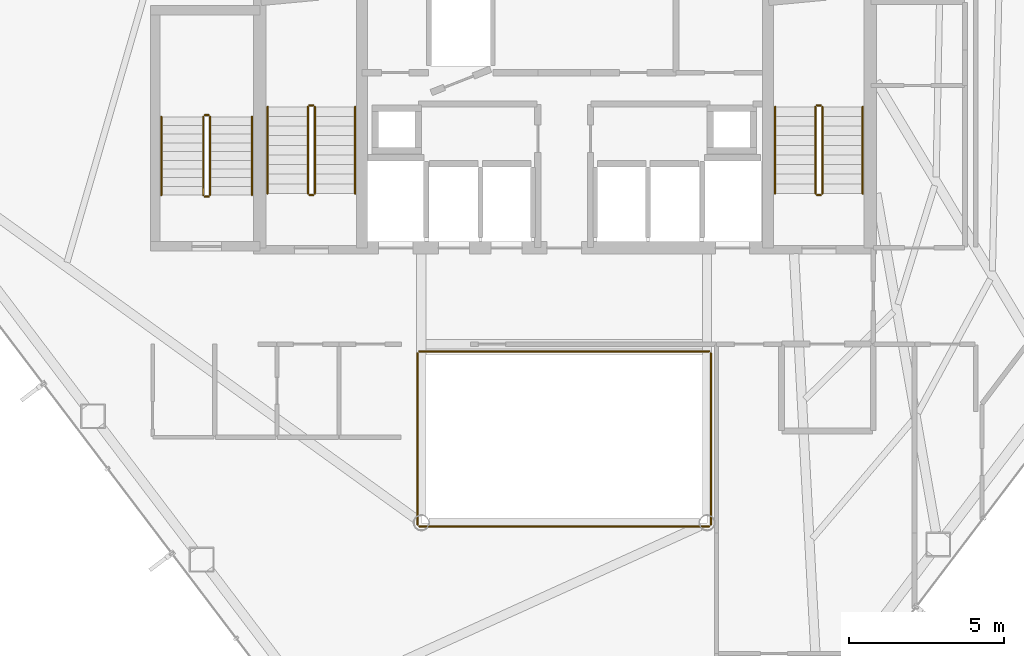
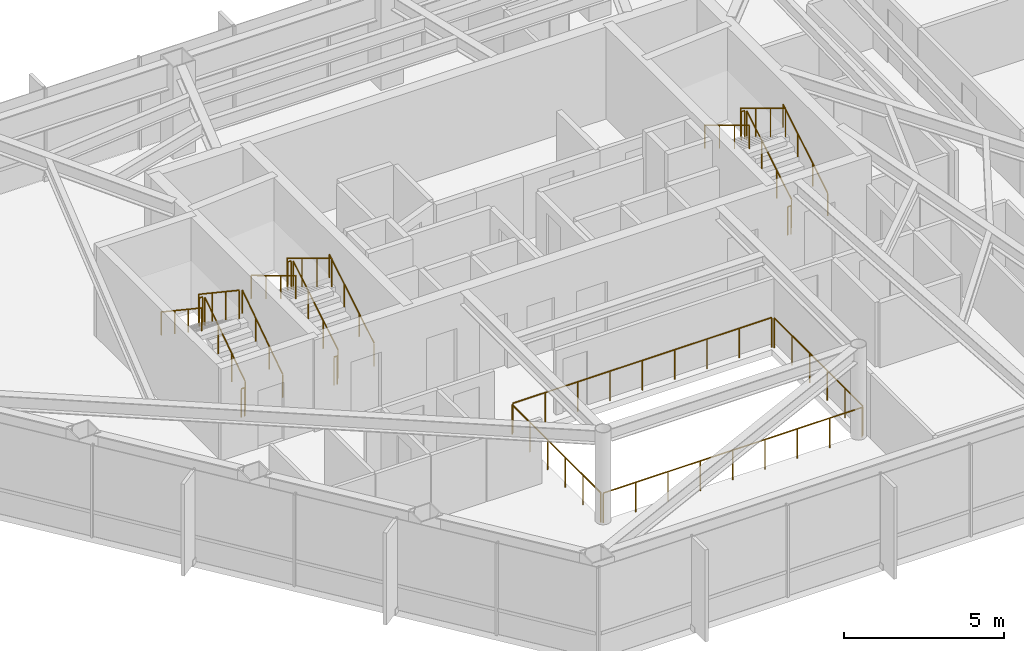
# One storey, part 29 of 29: 22 railings.
"""IFC4 building model written with IfcOpenShell, lengths in metres."""

from ifc_helpers import new_model, si_unit, direction, frame, origin, origin_2d, place, context, subcontext, project, spatial, circle, extrude, material, type_object, element, save


model = new_model("IFC4")

# Units and contexts
model_context = context("Model", 3, precision=1e-05, world=origin(), true_north=direction((0.0, 1.0)))
body_context = subcontext(model_context, "Body", "Model", "MODEL_VIEW")
ifc_project = project(units=[si_unit("LENGTHUNIT", "METRE"), si_unit("AREAUNIT", "SQUARE_METRE"), si_unit("VOLUMEUNIT", "CUBIC_METRE"), si_unit("PLANEANGLEUNIT", "RADIAN"), si_unit("MASSUNIT", "GRAM", prefix="KILO")], contexts=[model_context])

# Site, building, storey
site_placement = place(None, origin())
site = spatial("IfcSite", under=ifc_project, at=site_placement, CompositionType="ELEMENT")
building_placement = place(site_placement, origin())
building = spatial("IfcBuilding", under=site, at=building_placement, Name="Zarrinselat Tower", CompositionType="ELEMENT")
storey_placement = place(building_placement, frame((0.0, 0.0, 138.3798828125)))
storey = spatial("IfcBuildingStorey", under=building, at=storey_placement, Name="L33", CompositionType="ELEMENT", Elevation=138.3798828125)

# Railings
ifc_material_1 = material(Name="Double Low-E Laminated Solar Glass", Category="glass")
railing_type_1 = type_object("IfcRailingType", Name="RLG-ATRIUM-BAL", PredefinedType="BALUSTRADE", material=ifc_material_1)
railing_1_placement = place(storey_placement, frame((33.739990234375, 24.280029296875, 0.0)))
element("IfcRailing", 1, at=railing_1_placement, inside=storey, type_object=railing_type_1, Name="L33 Atrium Void Glass Balustrade S", PredefinedType="BALUSTRADE", context=body_context, shape_type="SweptSolid", body=[
    extrude(circle(Radius=0.02392578125, at=origin_2d()), frame((0.0, 0.0, 1.1259765625), z_axis=(1.0, 0.0, 0.0), x_axis=(0.0, 1.0, 0.0)), (0.0, 0.0, 1.0), 9.320068359375),
    extrude(circle(Radius=0.02099609375, at=origin_2d()), origin(), (0.0, 0.0, 1.0), 1.099853515625),
    extrude(circle(Radius=0.02099609375, at=origin_2d()), frame((1.1650390625, 0.0, 0.0)), (0.0, 0.0, 1.0), 1.099853515625),
    extrude(circle(Radius=0.02099609375, at=origin_2d()), frame((2.330078125, 0.0, 0.0)), (0.0, 0.0, 1.0), 1.099853515625),
    extrude(circle(Radius=0.02099609375, at=origin_2d()), frame((3.4951171875, 0.0, 0.0)), (0.0, 0.0, 1.0), 1.099853515625),
    extrude(circle(Radius=0.02099609375, at=origin_2d()), frame((4.66015625, 0.0, 0.0)), (0.0, 0.0, 1.0), 1.099853515625),
    extrude(circle(Radius=0.02099609375, at=origin_2d()), frame((5.824951171875, 0.0, 0.0)), (0.0, 0.0, 1.0), 1.099853515625),
    extrude(circle(Radius=0.02099609375, at=origin_2d()), frame((6.989990234375, 0.0, 0.0)), (0.0, 0.0, 1.0), 1.099853515625),
    extrude(circle(Radius=0.02099609375, at=origin_2d()), frame((8.155029296875, 0.0, 0.0)), (0.0, 0.0, 1.0), 1.099853515625),
    extrude(circle(Radius=0.02099609375, at=origin_2d()), frame((9.320068359375, 0.0, 0.0)), (0.0, 0.0, 1.0), 1.099853515625),
])
railing_2_placement = place(storey_placement, frame((43.1201171875, 24.340087890625, 0.0)))
element("IfcRailing", 2, at=railing_2_placement, inside=storey, type_object=railing_type_1, Name="L33 Atrium Void Glass Balustrade E", PredefinedType="BALUSTRADE", context=body_context, shape_type="SweptSolid", body=[
    extrude(circle(Radius=0.02392578125, at=origin_2d()), frame((0.0, 0.0, 1.1259765625), z_axis=(0.0, 1.0, 0.0), x_axis=(-1.0, 0.0, 0.0)), (0.0, 0.0, 1.0), 5.52001953125),
    extrude(circle(Radius=0.02099609375, at=origin_2d()), origin(), (0.0, 0.0, 1.0), 1.099853515625),
    extrude(circle(Radius=0.02099609375, at=origin_2d()), frame((0.0, 1.10400390625, 0.0)), (0.0, 0.0, 1.0), 1.099853515625),
    extrude(circle(Radius=0.02099609375, at=origin_2d()), frame((0.0, 2.2080078125, 0.0)), (0.0, 0.0, 1.0), 1.099853515625),
    extrude(circle(Radius=0.02099609375, at=origin_2d()), frame((0.0, 3.31201171875, 0.0)), (0.0, 0.0, 1.0), 1.099853515625),
    extrude(circle(Radius=0.02099609375, at=origin_2d()), frame((0.0, 4.416015625, 0.0)), (0.0, 0.0, 1.0), 1.099853515625),
    extrude(circle(Radius=0.02099609375, at=origin_2d()), frame((0.0, 5.52001953125, 0.0)), (0.0, 0.0, 1.0), 1.099853515625),
])
railing_3_placement = place(storey_placement, frame((43.06005859375, 29.919921875, 0.0)))
element("IfcRailing", 3, at=railing_3_placement, inside=storey, type_object=railing_type_1, Name="L33 Atrium Void Glass Balustrade N", PredefinedType="BALUSTRADE", context=body_context, shape_type="SweptSolid", body=[
    extrude(circle(Radius=0.02392578125, at=origin_2d()), frame((0.0, 0.0, 1.1259765625), z_axis=(-1.0, 0.0, 0.0), x_axis=(0.0, -1.0, 0.0)), (0.0, 0.0, 1.0), 9.320068359375),
    extrude(circle(Radius=0.02099609375, at=origin_2d()), origin(), (0.0, 0.0, 1.0), 1.099853515625),
    extrude(circle(Radius=0.02099609375, at=origin_2d()), frame((-1.1650390625, 0.0, 0.0)), (0.0, 0.0, 1.0), 1.099853515625),
    extrude(circle(Radius=0.02099609375, at=origin_2d()), frame((-2.330078125, 0.0, 0.0)), (0.0, 0.0, 1.0), 1.099853515625),
    extrude(circle(Radius=0.02099609375, at=origin_2d()), frame((-3.4951171875, 0.0, 0.0)), (0.0, 0.0, 1.0), 1.099853515625),
    extrude(circle(Radius=0.02099609375, at=origin_2d()), frame((-4.66015625, 0.0, 0.0)), (0.0, 0.0, 1.0), 1.099853515625),
    extrude(circle(Radius=0.02099609375, at=origin_2d()), frame((-5.824951171875, 0.0, 0.0)), (0.0, 0.0, 1.0), 1.099853515625),
    extrude(circle(Radius=0.02099609375, at=origin_2d()), frame((-6.989990234375, 0.0, 0.0)), (0.0, 0.0, 1.0), 1.099853515625),
    extrude(circle(Radius=0.02099609375, at=origin_2d()), frame((-8.155029296875, 0.0, 0.0)), (0.0, 0.0, 1.0), 1.099853515625),
    extrude(circle(Radius=0.02099609375, at=origin_2d()), frame((-9.320068359375, 0.0, 0.0)), (0.0, 0.0, 1.0), 1.099853515625),
])
railing_4_placement = place(storey_placement, frame((33.679931640625, 29.860107421875, 0.0)))
element("IfcRailing", 4, at=railing_4_placement, inside=storey, type_object=railing_type_1, Name="L33 Atrium Void Glass Balustrade W", PredefinedType="BALUSTRADE", context=body_context, shape_type="SweptSolid", body=[
    extrude(circle(Radius=0.02392578125, at=origin_2d()), frame((0.0, 0.0, 1.1259765625), z_axis=(0.0, -1.0, 0.0), x_axis=(1.0, 0.0, 0.0)), (0.0, 0.0, 1.0), 5.52001953125),
    extrude(circle(Radius=0.02099609375, at=origin_2d()), origin(), (0.0, 0.0, 1.0), 1.099853515625),
    extrude(circle(Radius=0.02099609375, at=origin_2d()), frame((0.0, -1.10400390625, 0.0)), (0.0, 0.0, 1.0), 1.099853515625),
    extrude(circle(Radius=0.02099609375, at=origin_2d()), frame((0.0, -2.2080078125, 0.0)), (0.0, 0.0, 1.0), 1.099853515625),
    extrude(circle(Radius=0.02099609375, at=origin_2d()), frame((0.0, -3.31201171875, 0.0)), (0.0, 0.0, 1.0), 1.099853515625),
    extrude(circle(Radius=0.02099609375, at=origin_2d()), frame((0.0, -4.416015625, 0.0)), (0.0, 0.0, 1.0), 1.099853515625),
    extrude(circle(Radius=0.02099609375, at=origin_2d()), frame((0.0, -5.52001953125, 0.0)), (0.0, 0.0, 1.0), 1.099853515625),
])
ifc_material_2 = material(Name="Steel S355J2", Category="steel")
railing_type_2 = type_object("IfcRailingType", Name="RLG-STAIR-GUARD", PredefinedType="GUARDRAIL", material=ifc_material_2)
railing_5_placement = place(storey_placement, frame((30.3701171875, 35.0, 0.18701171875)))
element("IfcRailing", 5, at=railing_5_placement, inside=storey, type_object=railing_type_2, Name="L33 ST-1 stair guard 1", PredefinedType="GUARDRAIL", context=body_context, shape_type="SweptSolid", body=[
    extrude(circle(Radius=0.02392578125, at=origin_2d()), frame((0.0, 0.0, 1.076171875), z_axis=(0.0, 0.856260799362, 0.516543747882), x_axis=(-1.0, 0.0, 0.0)), (0.0, 0.0, 1.0), 3.25830078125),
    extrude(circle(Radius=0.02099609375, at=origin_2d()), origin(), (0.0, 0.0, 1.0), 1.050048828125),
    extrude(circle(Radius=0.02099609375, at=origin_2d()), frame((0.0, 0.929931640625, 0.56103515625)), (0.0, 0.0, 1.0), 1.050048828125),
    extrude(circle(Radius=0.02099609375, at=origin_2d()), frame((0.0, 1.860107421875, 1.1220703125)), (0.0, 0.0, 1.0), 1.050048828125),
    extrude(circle(Radius=0.02099609375, at=origin_2d()), frame((0.0, 2.7900390625, 1.68310546875)), (0.0, 0.0, 1.0), 1.050048828125),
])
railing_6_placement = place(storey_placement, frame((30.320068359375, 37.840087890625, 1.8701171875)))
element("IfcRailing", 6, at=railing_6_placement, inside=storey, type_object=railing_type_2, Name="L33 ST-1 stair guard 2", PredefinedType="GUARDRAIL", context=body_context, shape_type="SweptSolid", body=[
    extrude(circle(Radius=0.02392578125, at=origin_2d()), frame((0.0, 0.0, 1.076171875), z_axis=(-1.0, 0.0, 0.0), x_axis=(0.0, -1.0, 0.0)), (0.0, 0.0, 1.0), 0.1201171875),
    extrude(circle(Radius=0.02099609375, at=origin_2d()), origin(), (0.0, 0.0, 1.0), 1.050048828125),
    extrude(circle(Radius=0.02099609375, at=origin_2d()), frame((-0.1201171875, 0.0, 0.0)), (0.0, 0.0, 1.0), 1.050048828125),
])
railing_7_placement = place(storey_placement, frame((30.14990234375, 37.7900390625, 2.05712890625)))
element("IfcRailing", 7, at=railing_7_placement, inside=storey, type_object=railing_type_2, Name="L33 ST-1 stair guard 3", PredefinedType="GUARDRAIL", context=body_context, shape_type="SweptSolid", body=[
    extrude(circle(Radius=0.02392578125, at=origin_2d()), frame((0.0, 0.0, 1.076171875), z_axis=(0.0, -0.856260799362, 0.516543747882), x_axis=(1.0, 0.0, 0.0)), (0.0, 0.0, 1.0), 3.25830078125),
    extrude(circle(Radius=0.02099609375, at=origin_2d()), origin(), (0.0, 0.0, 1.0), 1.050048828125),
    extrude(circle(Radius=0.02099609375, at=origin_2d()), frame((0.0, -0.929931640625, 0.56103515625)), (0.0, 0.0, 1.0), 1.050048828125),
    extrude(circle(Radius=0.02099609375, at=origin_2d()), frame((0.0, -1.860107421875, 1.1220703125)), (0.0, 0.0, 1.0), 1.050048828125),
    extrude(circle(Radius=0.02099609375, at=origin_2d()), frame((0.0, -2.7900390625, 1.68310546875)), (0.0, 0.0, 1.0), 1.050048828125),
])
railing_8_placement = place(storey_placement, frame((30.320068359375, 34.949951171875, 0.0)))
element("IfcRailing", 8, at=railing_8_placement, inside=storey, type_object=railing_type_2, Name="L33 ST-1 stair guard 4", PredefinedType="GUARDRAIL", context=body_context, shape_type="SweptSolid", body=[
    extrude(circle(Radius=0.02392578125, at=origin_2d()), frame((0.0, 0.0, 1.076171875), z_axis=(-1.0, 0.0, 0.0), x_axis=(0.0, -1.0, 0.0)), (0.0, 0.0, 1.0), 0.1201171875),
    extrude(circle(Radius=0.02099609375, at=origin_2d()), origin(), (0.0, 0.0, 1.0), 1.050048828125),
    extrude(circle(Radius=0.02099609375, at=origin_2d()), frame((-0.1201171875, 0.0, 0.0)), (0.0, 0.0, 1.0), 1.050048828125),
])
railing_9_placement = place(storey_placement, frame((46.7099609375, 35.0, 0.18701171875)))
element("IfcRailing", 9, at=railing_9_placement, inside=storey, type_object=railing_type_2, Name="L33 ST-2 stair guard 1", PredefinedType="GUARDRAIL", context=body_context, shape_type="SweptSolid", body=[
    extrude(circle(Radius=0.02392578125, at=origin_2d()), frame((0.0, 0.0, 1.076171875), z_axis=(0.0, 0.856260799362, 0.516543747882), x_axis=(-1.0, 0.0, 0.0)), (0.0, 0.0, 1.0), 3.25830078125),
    extrude(circle(Radius=0.02099609375, at=origin_2d()), origin(), (0.0, 0.0, 1.0), 1.050048828125),
    extrude(circle(Radius=0.02099609375, at=origin_2d()), frame((0.0, 0.929931640625, 0.56103515625)), (0.0, 0.0, 1.0), 1.050048828125),
    extrude(circle(Radius=0.02099609375, at=origin_2d()), frame((0.0, 1.860107421875, 1.1220703125)), (0.0, 0.0, 1.0), 1.050048828125),
    extrude(circle(Radius=0.02099609375, at=origin_2d()), frame((0.0, 2.7900390625, 1.68310546875)), (0.0, 0.0, 1.0), 1.050048828125),
])
railing_10_placement = place(storey_placement, frame((46.659912109375, 37.840087890625, 1.8701171875)))
element("IfcRailing", 10, at=railing_10_placement, inside=storey, type_object=railing_type_2, Name="L33 ST-2 stair guard 2", PredefinedType="GUARDRAIL", context=body_context, shape_type="SweptSolid", body=[
    extrude(circle(Radius=0.02392578125, at=origin_2d()), frame((0.0, 0.0, 1.076171875), z_axis=(-1.0, 0.0, 0.0), x_axis=(0.0, -1.0, 0.0)), (0.0, 0.0, 1.0), 0.119873046875),
    extrude(circle(Radius=0.02099609375, at=origin_2d()), origin(), (0.0, 0.0, 1.0), 1.050048828125),
    extrude(circle(Radius=0.02099609375, at=origin_2d()), frame((-0.119873046875, 0.0, 0.0)), (0.0, 0.0, 1.0), 1.050048828125),
])
railing_11_placement = place(storey_placement, frame((46.489990234375, 37.7900390625, 2.05712890625)))
element("IfcRailing", 11, at=railing_11_placement, inside=storey, type_object=railing_type_2, Name="L33 ST-2 stair guard 3", PredefinedType="GUARDRAIL", context=body_context, shape_type="SweptSolid", body=[
    extrude(circle(Radius=0.02392578125, at=origin_2d()), frame((0.0, 0.0, 1.076171875), z_axis=(0.0, -0.856260799362, 0.516543747882), x_axis=(1.0, 0.0, 0.0)), (0.0, 0.0, 1.0), 3.25830078125),
    extrude(circle(Radius=0.02099609375, at=origin_2d()), origin(), (0.0, 0.0, 1.0), 1.050048828125),
    extrude(circle(Radius=0.02099609375, at=origin_2d()), frame((0.0, -0.929931640625, 0.56103515625)), (0.0, 0.0, 1.0), 1.050048828125),
    extrude(circle(Radius=0.02099609375, at=origin_2d()), frame((0.0, -1.860107421875, 1.1220703125)), (0.0, 0.0, 1.0), 1.050048828125),
    extrude(circle(Radius=0.02099609375, at=origin_2d()), frame((0.0, -2.7900390625, 1.68310546875)), (0.0, 0.0, 1.0), 1.050048828125),
])
railing_12_placement = place(storey_placement, frame((46.659912109375, 34.949951171875, 0.0)))
element("IfcRailing", 12, at=railing_12_placement, inside=storey, type_object=railing_type_2, Name="L33 ST-2 stair guard 4", PredefinedType="GUARDRAIL", context=body_context, shape_type="SweptSolid", body=[
    extrude(circle(Radius=0.02392578125, at=origin_2d()), frame((0.0, 0.0, 1.076171875), z_axis=(-1.0, 0.0, 0.0), x_axis=(0.0, -1.0, 0.0)), (0.0, 0.0, 1.0), 0.119873046875),
    extrude(circle(Radius=0.02099609375, at=origin_2d()), origin(), (0.0, 0.0, 1.0), 1.050048828125),
    extrude(circle(Radius=0.02099609375, at=origin_2d()), frame((-0.119873046875, 0.0, 0.0)), (0.0, 0.0, 1.0), 1.050048828125),
])
railing_13_placement = place(storey_placement, frame((27.0, 34.949951171875, 0.18701171875)))
element("IfcRailing", 13, at=railing_13_placement, inside=storey, type_object=railing_type_2, Name="L33 ST-3 stair guard 1", PredefinedType="GUARDRAIL", context=body_context, shape_type="SweptSolid", body=[
    extrude(circle(Radius=0.02392578125, at=origin_2d()), frame((0.0, 0.0, 1.076171875), z_axis=(0.0, 0.831579006341, 0.555406478368), x_axis=(-1.0, 0.0, 0.0)), (0.0, 0.0, 1.0), 3.030517578125),
    extrude(circle(Radius=0.02099609375, at=origin_2d()), origin(), (0.0, 0.0, 1.0), 1.050048828125),
    extrude(circle(Radius=0.02099609375, at=origin_2d()), frame((0.0, 0.840087890625, 0.56103515625)), (0.0, 0.0, 1.0), 1.050048828125),
    extrude(circle(Radius=0.02099609375, at=origin_2d()), frame((0.0, 1.679931640625, 1.1220703125)), (0.0, 0.0, 1.0), 1.050048828125),
    extrude(circle(Radius=0.02099609375, at=origin_2d()), frame((0.0, 2.52001953125, 1.68310546875)), (0.0, 0.0, 1.0), 1.050048828125),
])
railing_14_placement = place(storey_placement, frame((26.949951171875, 37.52001953125, 1.8701171875)))
element("IfcRailing", 14, at=railing_14_placement, inside=storey, type_object=railing_type_2, Name="L33 ST-3 stair guard 2", PredefinedType="GUARDRAIL", context=body_context, shape_type="SweptSolid", body=[
    extrude(circle(Radius=0.02392578125, at=origin_2d()), frame((0.0, 0.0, 1.076171875), z_axis=(-1.0, 0.0, 0.0), x_axis=(0.0, -1.0, 0.0)), (0.0, 0.0, 1.0), 0.119873046875),
    extrude(circle(Radius=0.02099609375, at=origin_2d()), origin(), (0.0, 0.0, 1.0), 1.050048828125),
    extrude(circle(Radius=0.02099609375, at=origin_2d()), frame((-0.119873046875, 0.0, 0.0)), (0.0, 0.0, 1.0), 1.050048828125),
])
railing_15_placement = place(storey_placement, frame((26.780029296875, 37.469970703125, 2.05712890625)))
element("IfcRailing", 15, at=railing_15_placement, inside=storey, type_object=railing_type_2, Name="L33 ST-3 stair guard 3", PredefinedType="GUARDRAIL", context=body_context, shape_type="SweptSolid", body=[
    extrude(circle(Radius=0.02392578125, at=origin_2d()), frame((0.0, 0.0, 1.076171875), z_axis=(0.0, -0.831579006341, 0.555406478368), x_axis=(1.0, 0.0, 0.0)), (0.0, 0.0, 1.0), 3.030517578125),
    extrude(circle(Radius=0.02099609375, at=origin_2d()), origin(), (0.0, 0.0, 1.0), 1.050048828125),
    extrude(circle(Radius=0.02099609375, at=origin_2d()), frame((0.0, -0.840087890625, 0.56103515625)), (0.0, 0.0, 1.0), 1.050048828125),
    extrude(circle(Radius=0.02099609375, at=origin_2d()), frame((0.0, -1.679931640625, 1.1220703125)), (0.0, 0.0, 1.0), 1.050048828125),
    extrude(circle(Radius=0.02099609375, at=origin_2d()), frame((0.0, -2.52001953125, 1.68310546875)), (0.0, 0.0, 1.0), 1.050048828125),
])
railing_16_placement = place(storey_placement, frame((26.949951171875, 34.89990234375, 0.0)))
element("IfcRailing", 16, at=railing_16_placement, inside=storey, type_object=railing_type_2, Name="L33 ST-3 stair guard 4", PredefinedType="GUARDRAIL", context=body_context, shape_type="SweptSolid", body=[
    extrude(circle(Radius=0.02392578125, at=origin_2d()), frame((0.0, 0.0, 1.076171875), z_axis=(-1.0, 0.0, 0.0), x_axis=(0.0, -1.0, 0.0)), (0.0, 0.0, 1.0), 0.119873046875),
    extrude(circle(Radius=0.02099609375, at=origin_2d()), origin(), (0.0, 0.0, 1.0), 1.050048828125),
    extrude(circle(Radius=0.02099609375, at=origin_2d()), frame((-0.119873046875, 0.0, 0.0)), (0.0, 0.0, 1.0), 1.050048828125),
])
ifc_material_3 = material(Name="Steel S355J2", Category="steel")
railing_type_3 = type_object("IfcRailingType", Name="RLG-STAIR-HAND", PredefinedType="HANDRAIL", material=ifc_material_3)
railing_17_placement = place(storey_placement, frame((31.669921875, 35.0, 0.18701171875)))
element("IfcRailing", 17, at=railing_17_placement, inside=storey, type_object=railing_type_3, Name="L33 ST-1 stair handrail 1", PredefinedType="HANDRAIL", context=body_context, shape_type="SweptSolid", body=[
    extrude(circle(Radius=0.02392578125, at=origin_2d()), frame((0.0, 0.0, 0.8759765625), z_axis=(0.0, 0.856260799362, 0.516543747882), x_axis=(-1.0, 0.0, 0.0)), (0.0, 0.0, 1.0), 3.25830078125),
    extrude(circle(Radius=0.02099609375, at=origin_2d()), origin(), (0.0, 0.0, 1.0), 0.849853515625),
    extrude(circle(Radius=0.02099609375, at=origin_2d()), frame((0.0, 0.929931640625, 0.56103515625)), (0.0, 0.0, 1.0), 0.849853515625),
    extrude(circle(Radius=0.02099609375, at=origin_2d()), frame((0.0, 1.860107421875, 1.1220703125)), (0.0, 0.0, 1.0), 0.849853515625),
    extrude(circle(Radius=0.02099609375, at=origin_2d()), frame((0.0, 2.7900390625, 1.68310546875)), (0.0, 0.0, 1.0), 0.849853515625),
])
railing_18_placement = place(storey_placement, frame((28.85009765625, 37.7900390625, 2.05712890625)))
element("IfcRailing", 18, at=railing_18_placement, inside=storey, type_object=railing_type_3, Name="L33 ST-1 stair handrail 2", PredefinedType="HANDRAIL", context=body_context, shape_type="SweptSolid", body=[
    extrude(circle(Radius=0.02392578125, at=origin_2d()), frame((0.0, 0.0, 0.8759765625), z_axis=(0.0, -0.856260799362, 0.516543747882), x_axis=(1.0, 0.0, 0.0)), (0.0, 0.0, 1.0), 3.25830078125),
    extrude(circle(Radius=0.02099609375, at=origin_2d()), origin(), (0.0, 0.0, 1.0), 0.849853515625),
    extrude(circle(Radius=0.02099609375, at=origin_2d()), frame((0.0, -0.929931640625, 0.56103515625)), (0.0, 0.0, 1.0), 0.849853515625),
    extrude(circle(Radius=0.02099609375, at=origin_2d()), frame((0.0, -1.860107421875, 1.1220703125)), (0.0, 0.0, 1.0), 0.849853515625),
    extrude(circle(Radius=0.02099609375, at=origin_2d()), frame((0.0, -2.7900390625, 1.68310546875)), (0.0, 0.0, 1.0), 0.849853515625),
])
railing_19_placement = place(storey_placement, frame((48.010009765625, 35.0, 0.18701171875)))
element("IfcRailing", 19, at=railing_19_placement, inside=storey, type_object=railing_type_3, Name="L33 ST-2 stair handrail 1", PredefinedType="HANDRAIL", context=body_context, shape_type="SweptSolid", body=[
    extrude(circle(Radius=0.02392578125, at=origin_2d()), frame((0.0, 0.0, 0.8759765625), z_axis=(0.0, 0.856260799362, 0.516543747882), x_axis=(-1.0, 0.0, 0.0)), (0.0, 0.0, 1.0), 3.25830078125),
    extrude(circle(Radius=0.02099609375, at=origin_2d()), origin(), (0.0, 0.0, 1.0), 0.849853515625),
    extrude(circle(Radius=0.02099609375, at=origin_2d()), frame((0.0, 0.929931640625, 0.56103515625)), (0.0, 0.0, 1.0), 0.849853515625),
    extrude(circle(Radius=0.02099609375, at=origin_2d()), frame((0.0, 1.860107421875, 1.1220703125)), (0.0, 0.0, 1.0), 0.849853515625),
    extrude(circle(Radius=0.02099609375, at=origin_2d()), frame((0.0, 2.7900390625, 1.68310546875)), (0.0, 0.0, 1.0), 0.849853515625),
])
railing_20_placement = place(storey_placement, frame((45.18994140625, 37.7900390625, 2.05712890625)))
element("IfcRailing", 20, at=railing_20_placement, inside=storey, type_object=railing_type_3, Name="L33 ST-2 stair handrail 2", PredefinedType="HANDRAIL", context=body_context, shape_type="SweptSolid", body=[
    extrude(circle(Radius=0.02392578125, at=origin_2d()), frame((0.0, 0.0, 0.8759765625), z_axis=(0.0, -0.856260799362, 0.516543747882), x_axis=(1.0, 0.0, 0.0)), (0.0, 0.0, 1.0), 3.25830078125),
    extrude(circle(Radius=0.02099609375, at=origin_2d()), origin(), (0.0, 0.0, 1.0), 0.849853515625),
    extrude(circle(Radius=0.02099609375, at=origin_2d()), frame((0.0, -0.929931640625, 0.56103515625)), (0.0, 0.0, 1.0), 0.849853515625),
    extrude(circle(Radius=0.02099609375, at=origin_2d()), frame((0.0, -1.860107421875, 1.1220703125)), (0.0, 0.0, 1.0), 0.849853515625),
    extrude(circle(Radius=0.02099609375, at=origin_2d()), frame((0.0, -2.7900390625, 1.68310546875)), (0.0, 0.0, 1.0), 0.849853515625),
])
railing_21_placement = place(storey_placement, frame((28.35009765625, 34.949951171875, 0.18701171875)))
element("IfcRailing", 21, at=railing_21_placement, inside=storey, type_object=railing_type_3, Name="L33 ST-3 stair handrail 1", PredefinedType="HANDRAIL", context=body_context, shape_type="SweptSolid", body=[
    extrude(circle(Radius=0.02392578125, at=origin_2d()), frame((0.0, 0.0, 0.8759765625), z_axis=(0.0, 0.831579006341, 0.555406478368), x_axis=(-1.0, 0.0, 0.0)), (0.0, 0.0, 1.0), 3.030517578125),
    extrude(circle(Radius=0.02099609375, at=origin_2d()), origin(), (0.0, 0.0, 1.0), 0.849853515625),
    extrude(circle(Radius=0.02099609375, at=origin_2d()), frame((0.0, 0.840087890625, 0.56103515625)), (0.0, 0.0, 1.0), 0.849853515625),
    extrude(circle(Radius=0.02099609375, at=origin_2d()), frame((0.0, 1.679931640625, 1.1220703125)), (0.0, 0.0, 1.0), 0.849853515625),
    extrude(circle(Radius=0.02099609375, at=origin_2d()), frame((0.0, 2.52001953125, 1.68310546875)), (0.0, 0.0, 1.0), 0.849853515625),
])
railing_22_placement = place(storey_placement, frame((25.429931640625, 37.469970703125, 2.05712890625)))
element("IfcRailing", 22, at=railing_22_placement, inside=storey, type_object=railing_type_3, Name="L33 ST-3 stair handrail 2", PredefinedType="HANDRAIL", context=body_context, shape_type="SweptSolid", body=[
    extrude(circle(Radius=0.02392578125, at=origin_2d()), frame((0.0, 0.0, 0.8759765625), z_axis=(0.0, -0.831579006341, 0.555406478368), x_axis=(1.0, 0.0, 0.0)), (0.0, 0.0, 1.0), 3.030517578125),
    extrude(circle(Radius=0.02099609375, at=origin_2d()), origin(), (0.0, 0.0, 1.0), 0.849853515625),
    extrude(circle(Radius=0.02099609375, at=origin_2d()), frame((0.0, -0.840087890625, 0.56103515625)), (0.0, 0.0, 1.0), 0.849853515625),
    extrude(circle(Radius=0.02099609375, at=origin_2d()), frame((0.0, -1.679931640625, 1.1220703125)), (0.0, 0.0, 1.0), 0.849853515625),
    extrude(circle(Radius=0.02099609375, at=origin_2d()), frame((0.0, -2.52001953125, 1.68310546875)), (0.0, 0.0, 1.0), 0.849853515625),
])

save(model, "model.ifc")
